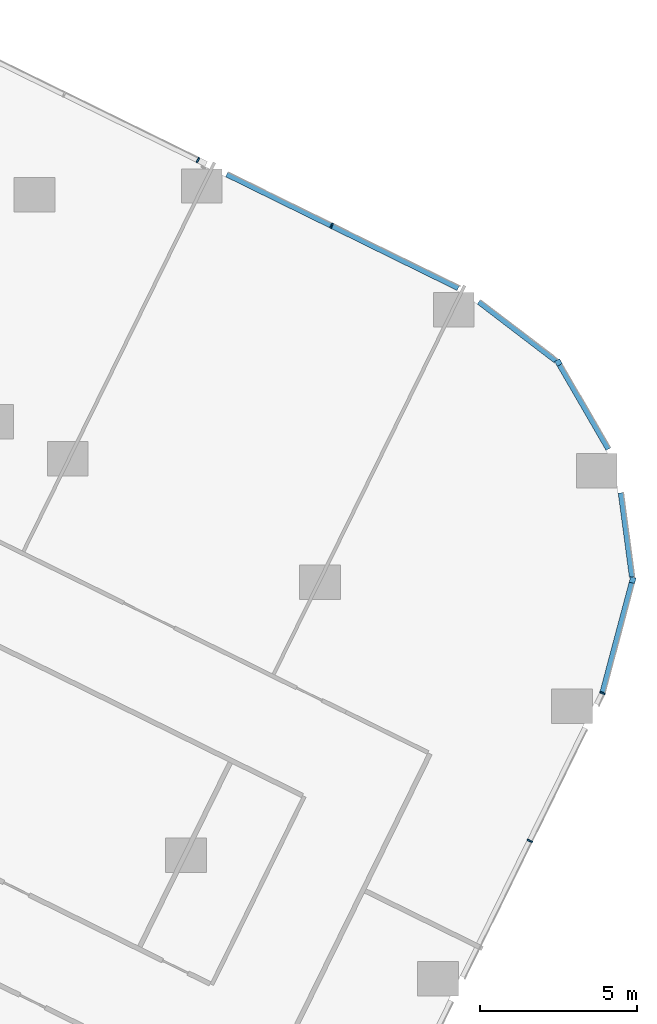
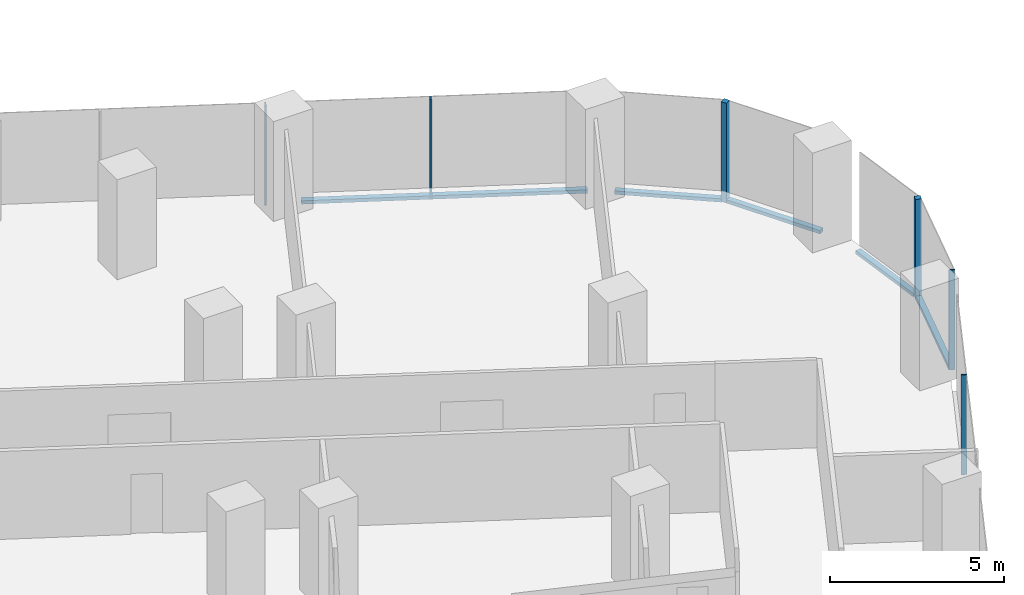
# One storey, part 12 of 38: 11 members, 6 elements without a shape of their own.
"""IFC4 building model written with IfcOpenShell, lengths in metres."""

from ifc_helpers import new_model, si_unit, direction, frame, origin, origin_2d, place, context, subcontext, project, spatial, rectangle, extrude, material, material_profile, profile_set, type_object, element, aggregate, save


model = new_model("IFC4")

# Units and contexts
model_context = context("Model", 3, precision=1e-05, world=origin(), true_north=direction((0.0, 1.0)))
body_context = subcontext(model_context, "Body", "Model", "MODEL_VIEW")
ifc_project = project(units=[si_unit("LENGTHUNIT", "METRE"), si_unit("AREAUNIT", "SQUARE_METRE"), si_unit("VOLUMEUNIT", "CUBIC_METRE"), si_unit("PLANEANGLEUNIT", "RADIAN"), si_unit("MASSUNIT", "GRAM", prefix="KILO")], contexts=[model_context])

# Site, building, storey
site_placement = place(None, origin())
site = spatial("IfcSite", under=ifc_project, at=site_placement, CompositionType="ELEMENT")
building_placement = place(site_placement, origin())
building = spatial("IfcBuilding", under=site, at=building_placement, Name="Orlundy Tower", CompositionType="ELEMENT")
storey_placement = place(building_placement, frame((0.0, 0.0, 65.800048828125)))
storey = spatial("IfcBuildingStorey", under=building, at=storey_placement, Name="L15", CompositionType="ELEMENT", Elevation=65.800048828125)

# Curtain wall, member
ifc_material_1 = material(Name="Aluminium bronze anodised", Category="aluminium")
curtain_wall_type = type_object("IfcCurtainWallType", Name="CW1 wall", PredefinedType="NOTDEFINED", material=ifc_material_1)
curtain_wall_1_placement = place(storey_placement, origin())
curtain_wall_1 = element("IfcCurtainWall", 1, at=curtain_wall_1_placement, inside=storey, type_object=curtain_wall_type, Name="CW1 run 020", PredefinedType="NOTDEFINED")
ifc_material_2 = material(Name="Aluminium bronze anodised", Category="aluminium")
ifc_material_profile_1 = material_profile(ifc_material_2, rectangle(XDim=0.179931640625, YDim=0.179931640625, at=origin_2d()), Name="CW1 corner post 180x180")
ifc_profile_set_1 = profile_set([ifc_material_profile_1], Name="Aluminium bronze anodised")
member_type_1 = type_object("IfcMemberType", Name="CW1 corner post 180x180", PredefinedType="MULLION", material=ifc_profile_set_1)
member_1_placement = place(storey_placement, frame((57.60595703125, -6.7314453125, -0.400146484375), z_axis=(0.0, 0.0, 1.0), x_axis=(0.865340088782, 0.501185126223, 0.0)))
member_1 = element("IfcMember", 2, at=member_1_placement, type_object=member_type_1, Name="CW1 mullion 58", PredefinedType="MULLION", context=body_context, shape_type="SweptSolid", body=[
    extrude(rectangle(XDim=0.179931640625, YDim=0.179931640625, at=origin_2d()), origin(), (0.0, 0.0, 1.0), 3.5),
])

curtain_wall_2_placement = place(storey_placement, origin())
curtain_wall_2 = element("IfcCurtainWall", 3, at=curtain_wall_2_placement, inside=storey, type_object=curtain_wall_type, Name="CW1 run 022", PredefinedType="NOTDEFINED")
member_2_placement = place(storey_placement, frame((59.9755859375, -13.679931640625, -0.400146484375), z_axis=(0.0, 0.0, 1.0), x_axis=(0.966315487466, -0.257360406209, 0.0)))
member_2 = element("IfcMember", 4, at=member_2_placement, type_object=member_type_1, Name="CW1 mullion 60", PredefinedType="MULLION", context=body_context, shape_type="SweptSolid", body=[
    extrude(rectangle(XDim=0.179931640625, YDim=0.179931640625, at=origin_2d()), origin(), (0.0, 0.0, 1.0), 3.5),
])

# Curtain wall, members
curtain_wall_3_placement = place(storey_placement, origin())
curtain_wall_3 = element("IfcCurtainWall", 5, at=curtain_wall_3_placement, inside=storey, type_object=curtain_wall_type, Name="CW1 run 018", PredefinedType="NOTDEFINED")
ifc_material_3 = material(Name="Aluminium bronze anodised", Category="aluminium")
ifc_material_profile_2 = material_profile(ifc_material_3, rectangle(XDim=0.179931640625, YDim=0.050048828125, at=origin_2d()), Name="CW1 mullion 50x180")
ifc_profile_set_2 = profile_set([ifc_material_profile_2], Name="Aluminium bronze anodised")
member_type_2 = type_object("IfcMemberType", Name="CW1 mullion 50x180", PredefinedType="MULLION", material=ifc_profile_set_2)
member_3_placement = place(storey_placement, frame((46.0966796875, -0.26513671875, -0.400146484375), z_axis=(0.0, 0.0, 1.0), x_axis=(0.440978180969, 0.897517823728, 0.0)))
member_3 = element("IfcMember", 6, at=member_3_placement, type_object=member_type_2, Name="CW1 mullion 55", PredefinedType="MULLION", context=body_context, shape_type="SweptSolid", body=[
    extrude(rectangle(XDim=0.179931640625, YDim=0.050048828125, at=origin_2d()), origin(), (0.0, 0.0, 1.0), 3.5),
])
member_4_placement = place(storey_placement, frame((50.36474609375, -2.3623046875, -0.400146484375), z_axis=(0.0, 0.0, 1.0), x_axis=(0.440978180969, 0.897517823728, 0.0)))
member_4 = element("IfcMember", 7, at=member_4_placement, type_object=member_type_2, Name="CW1 mullion 56", PredefinedType="MULLION", context=body_context, shape_type="SweptSolid", body=[
    extrude(rectangle(XDim=0.179931640625, YDim=0.050048828125, at=origin_2d()), origin(), (0.0, 0.0, 1.0), 3.5),
])

curtain_wall_4_placement = place(storey_placement, origin())
curtain_wall_4 = element("IfcCurtainWall", 8, at=curtain_wall_4_placement, inside=storey, type_object=curtain_wall_type, Name="CW1 run 023", PredefinedType="NOTDEFINED")
member_5_placement = place(storey_placement, frame((59.0146484375, -17.287841796875, -0.400146484375), z_axis=(0.0, 0.0, 1.0), x_axis=(0.936421410491, -0.350877388803, 0.0)))
member_5 = element("IfcMember", 9, at=member_5_placement, type_object=member_type_2, Name="CW1 mullion 61", PredefinedType="MULLION", context=body_context, shape_type="SweptSolid", body=[
    extrude(rectangle(XDim=0.179931640625, YDim=0.050048828125, at=origin_2d()), origin(), (0.0, 0.0, 1.0), 3.5),
])
member_6_placement = place(storey_placement, frame((56.695556640625, -22.00732421875, -0.400146484375), z_axis=(0.0, 0.0, 1.0), x_axis=(0.897501090883, -0.441012235503, 0.0)))
member_6 = element("IfcMember", 10, at=member_6_placement, type_object=member_type_2, Name="CW1 mullion 62", PredefinedType="MULLION", context=body_context, shape_type="SweptSolid", body=[
    extrude(rectangle(XDim=0.179931640625, YDim=0.050048828125, at=origin_2d()), origin(), (0.0, 0.0, 1.0), 3.5),
])
aggregate(curtain_wall_4, [member_5, member_6])

# Member
ifc_material_4 = material(Name="Aluminium bronze anodised", Category="aluminium")
ifc_material_profile_3 = material_profile(ifc_material_4, rectangle(XDim=0.179931640625, YDim=0.1201171875, at=origin_2d()), Name="CW1 transom 180x120")
ifc_profile_set_3 = profile_set([ifc_material_profile_3], Name="Aluminium bronze anodised")
member_type_3 = type_object("IfcMemberType", Name="CW1 transom 180x120", PredefinedType="USERDEFINED", material=ifc_profile_set_3)
member_7_placement = place(storey_placement, frame((47.02099609375, -0.719482421875, -0.340087890625), z_axis=(0.897519933419, -0.440973887113, 0.0), x_axis=(0.440973887113, 0.897519933419, 0.0)))
member_7 = element("IfcMember", 11, at=member_7_placement, type_object=member_type_3, Name="CW1 transom", ObjectType="TRANSOM", PredefinedType="USERDEFINED", context=body_context, shape_type="SweptSolid", body=[
    extrude(rectangle(XDim=0.179931640625, YDim=0.1201171875, at=origin_2d()), origin(), (0.0, 0.0, 1.0), 8.23095703125),
])

aggregate(curtain_wall_3, [member_3, member_4, member_7])

# Curtain wall, member
curtain_wall_5_placement = place(storey_placement, origin())
curtain_wall_5 = element("IfcCurtainWall", 12, at=curtain_wall_5_placement, inside=storey, type_object=curtain_wall_type, Name="CW1 run 019", PredefinedType="NOTDEFINED")
member_8_placement = place(storey_placement, frame((55.069091796875, -4.790771484375, -0.340087890625), z_axis=(0.79426830784, -0.60756716103, 0.0), x_axis=(0.60756716103, 0.79426830784, 0.0)))
member_8 = element("IfcMember", 13, at=member_8_placement, type_object=member_type_3, Name="CW1 transom", ObjectType="TRANSOM", PredefinedType="USERDEFINED", context=body_context, shape_type="SweptSolid", body=[
    extrude(rectangle(XDim=0.179931640625, YDim=0.1201171875, at=origin_2d()), origin(), (0.0, 0.0, 1.0), 3.096435546875),
])
aggregate(curtain_wall_5, [member_8])

# Member
member_9_placement = place(storey_placement, frame((57.651123046875, -6.809326171875, -0.340087890625), z_axis=(0.501166602946, -0.865350816774, 0.0), x_axis=(0.865350816774, 0.501166602946, 0.0)))
member_9 = element("IfcMember", 14, at=member_9_placement, type_object=member_type_3, Name="CW1 transom", ObjectType="TRANSOM", PredefinedType="USERDEFINED", context=body_context, shape_type="SweptSolid", body=[
    extrude(rectangle(XDim=0.179931640625, YDim=0.1201171875, at=origin_2d()), origin(), (0.0, 0.0, 1.0), 3.10107421875),
])

aggregate(curtain_wall_1, [member_1, member_9])

# Curtain wall, member
curtain_wall_6_placement = place(storey_placement, origin())
curtain_wall_6 = element("IfcCurtainWall", 15, at=curtain_wall_6_placement, inside=storey, type_object=curtain_wall_type, Name="CW1 run 021", PredefinedType="NOTDEFINED")
member_10_placement = place(storey_placement, frame((59.604736328125, -10.89306640625, -0.340087890625), z_axis=(0.131880872089, -0.991265572678, 0.0), x_axis=(0.991265572678, 0.131880872089, 0.0)))
member_10 = element("IfcMember", 16, at=member_10_placement, type_object=member_type_3, Name="CW1 transom", ObjectType="TRANSOM", PredefinedType="USERDEFINED", context=body_context, shape_type="SweptSolid", body=[
    extrude(rectangle(XDim=0.179931640625, YDim=0.1201171875, at=origin_2d()), origin(), (0.0, 0.0, 1.0), 2.7138671875),
])
aggregate(curtain_wall_6, [member_10])

# Member
member_11_placement = place(storey_placement, frame((59.952392578125, -13.766845703125, -0.340087890625), z_axis=(-0.257335078576, -0.966322232661, 0.0), x_axis=(0.966322232661, -0.257335078576, 0.0)))
member_11 = element("IfcMember", 17, at=member_11_placement, type_object=member_type_3, Name="CW1 transom", ObjectType="TRANSOM", PredefinedType="USERDEFINED", context=body_context, shape_type="SweptSolid", body=[
    extrude(rectangle(XDim=0.179931640625, YDim=0.1201171875, at=origin_2d()), origin(), (0.0, 0.0, 1.0), 3.618408203125),
])

aggregate(curtain_wall_2, [member_2, member_11])

save(model, "model.ifc")
